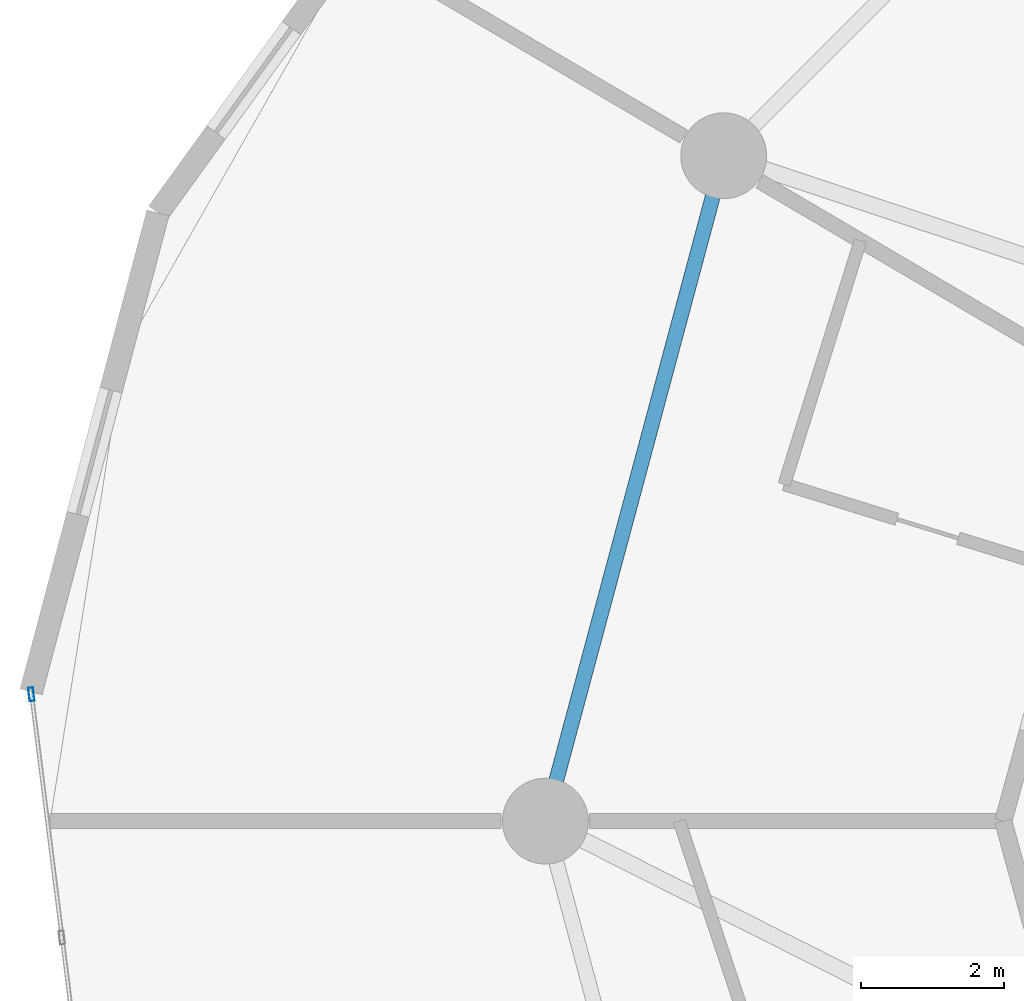
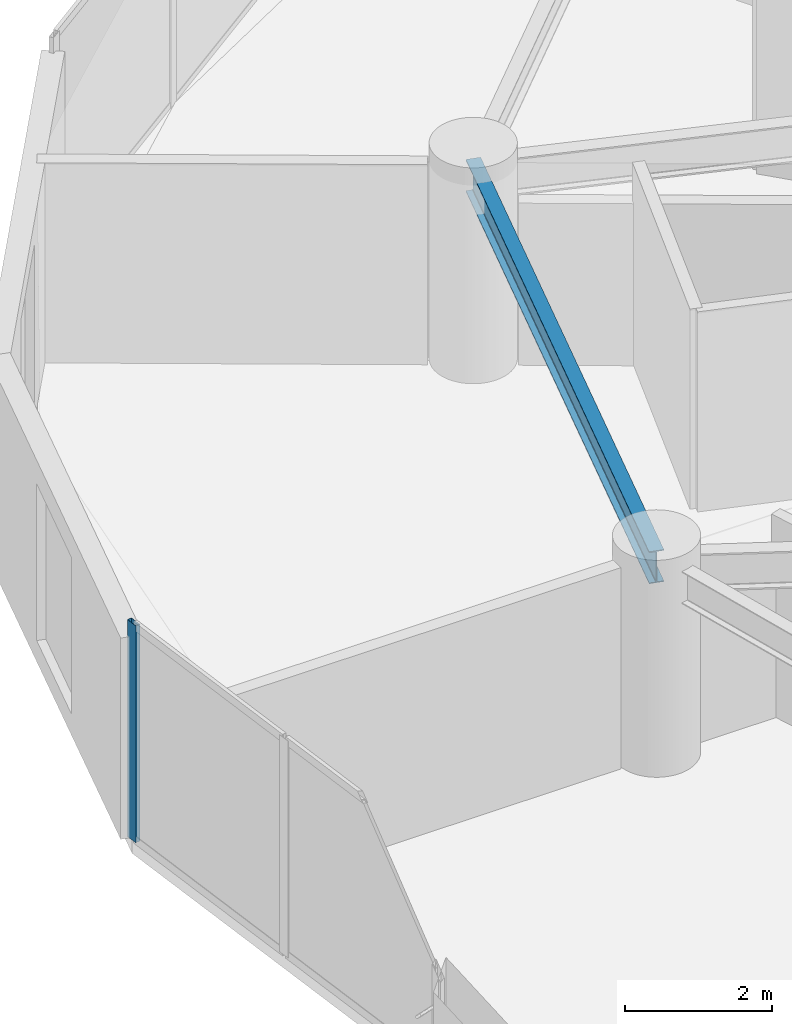
# One storey, part 6 of 26: 1 beam, 1 member, 1 element without a shape of its own.
"""IFC4 building model written with IfcOpenShell, lengths in metres."""

from ifc_helpers import new_model, si_unit, direction, frame, origin, origin_2d, place, context, subcontext, project, spatial, hollow_rectangle, i_section, extrude, source, transform, mapped, material, layer, layer_set, material_profile, profile_set, type_object, element, aggregate, save


model = new_model("IFC4")

# Units and contexts
model_context = context("Model", 3, precision=1e-05, world=origin(), true_north=direction((0.0, 1.0)))
body_context = subcontext(model_context, "Body", "Model", "MODEL_VIEW")
ifc_project = project(units=[si_unit("LENGTHUNIT", "METRE"), si_unit("AREAUNIT", "SQUARE_METRE"), si_unit("VOLUMEUNIT", "CUBIC_METRE"), si_unit("PLANEANGLEUNIT", "RADIAN"), si_unit("MASSUNIT", "GRAM", prefix="KILO")], contexts=[model_context])

# Site, building, storey
site_placement = place(None, origin())
site = spatial("IfcSite", under=ifc_project, at=site_placement, CompositionType="ELEMENT")
building_placement = place(site_placement, origin())
building = spatial("IfcBuilding", under=site, at=building_placement, Name="Solvirekh Grand Hotel", CompositionType="ELEMENT")
storey_placement = place(building_placement, frame((0.0, 0.0, 32.0)))
storey = spatial("IfcBuildingStorey", under=building, at=storey_placement, Name="L06", CompositionType="ELEMENT", Elevation=32.0)

# Beam
ifc_material_1 = material(Name="Steel S355", Category="steel")
ifc_material_profile_1 = material_profile(ifc_material_1, i_section(OverallWidth=0.208984375, OverallDepth=0.532958984375, WebThickness=0.010009765625, FlangeThickness=0.014892578125, FilletRadius=0.013916015625, at=origin_2d()), Name="W530X92")
ifc_profile_set_1 = profile_set([ifc_material_profile_1], Name="Steel S355")
beam_type = type_object("IfcBeamType", Name="Spandrel_Ring_W530", PredefinedType="SPANDREL", material=ifc_profile_set_1)
beam_placement = place(storey_placement, frame((-16.10791015625, 9.300048828125, 3.073974609375), z_axis=(-0.258842973314, -0.965919414426, 0.0), x_axis=(0.965919414426, -0.258842973314, 0.0)))
element("IfcBeam", 1, at=beam_placement, inside=storey, type_object=beam_type, Name="L06 perimeter spandrel beam 6", PredefinedType="SPANDREL", context=body_context, shape_type="SweptSolid", body=[
    extrude(i_section(OverallWidth=0.208984375, OverallDepth=0.532958984375, WebThickness=0.010009765625, FlangeThickness=0.014892578125, FilletRadius=0.013916015625, at=origin_2d()), origin(), (0.0, 0.0, 1.0), 9.628173828125),
])

# Curtain wall, member
ifc_material_2 = material(Name="Anodized Bronze Aluminium 6063-T6", Category="aluminium")
ifc_layer = layer(ifc_material_2, 0.18994140625)
ifc_layer_set = layer_set([ifc_layer], Name="Anodized Bronze Aluminium 6063-T6")
curtain_wall_type = type_object("IfcCurtainWallType", Name="CW_Sys2_LowZoneFlushBronzeCW", PredefinedType="NOTDEFINED", material=ifc_layer_set)
curtain_wall_placement = place(storey_placement, origin())
curtain_wall = element("IfcCurtainWall", 2, at=curtain_wall_placement, inside=storey, type_object=curtain_wall_type, Name="L06 unitised bronze-glass curtain wall CW-L06-C11", PredefinedType="NOTDEFINED")
ifc_material_profile_2 = material_profile(ifc_material_2, hollow_rectangle(XDim=0.070068359375, YDim=0.18994140625, WallThickness=0.0048828125, at=origin_2d()), Name="ALU RHS 190X70X5")
ifc_profile_set_2 = profile_set([ifc_material_profile_2], Name="Anodized Bronze Aluminium 6063-T6")
member_type = type_object("IfcMemberType", Name="CWMullion_Sys2", PredefinedType="MULLION", material=ifc_profile_set_2)
shared_shape = source(origin(), body_context, "Body", "SweptSolid", [
    extrude(hollow_rectangle(XDim=0.070068359375, YDim=0.18994140625, WallThickness=0.0048828125, at=origin_2d()), origin(), (0.0, 0.0, 1.0), 3.60009765625),
])
member_placement = place(storey_placement, frame((-25.78466796875, 1.773193359375, 0.0), z_axis=(0.0, 0.0, 1.0), x_axis=(0.992204390249, 0.124621217979, 0.0)))
member = element("IfcMember", 3, at=member_placement, type_object=member_type, Name="U02 mullion 1", PredefinedType="MULLION", context=body_context, shape_type="MappedRepresentation", body=[
    mapped(shared_shape, transform((0.0, 0.0, 0.0), x_axis=(1.0, 0.0, 0.0), y_axis=(0.0, 1.0, 0.0), z_axis=(0.0, 0.0, 1.0), scale=1.0)),
])
aggregate(curtain_wall, [member])

save(model, "model.ifc")
